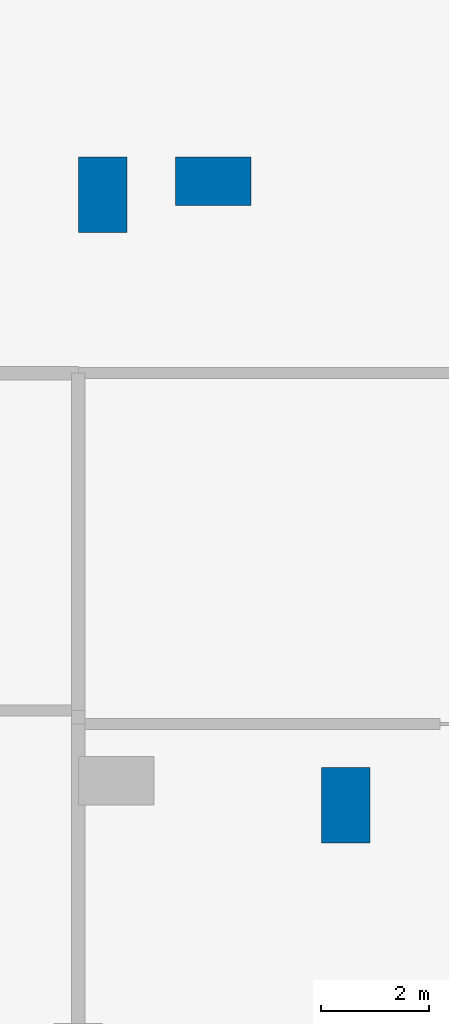
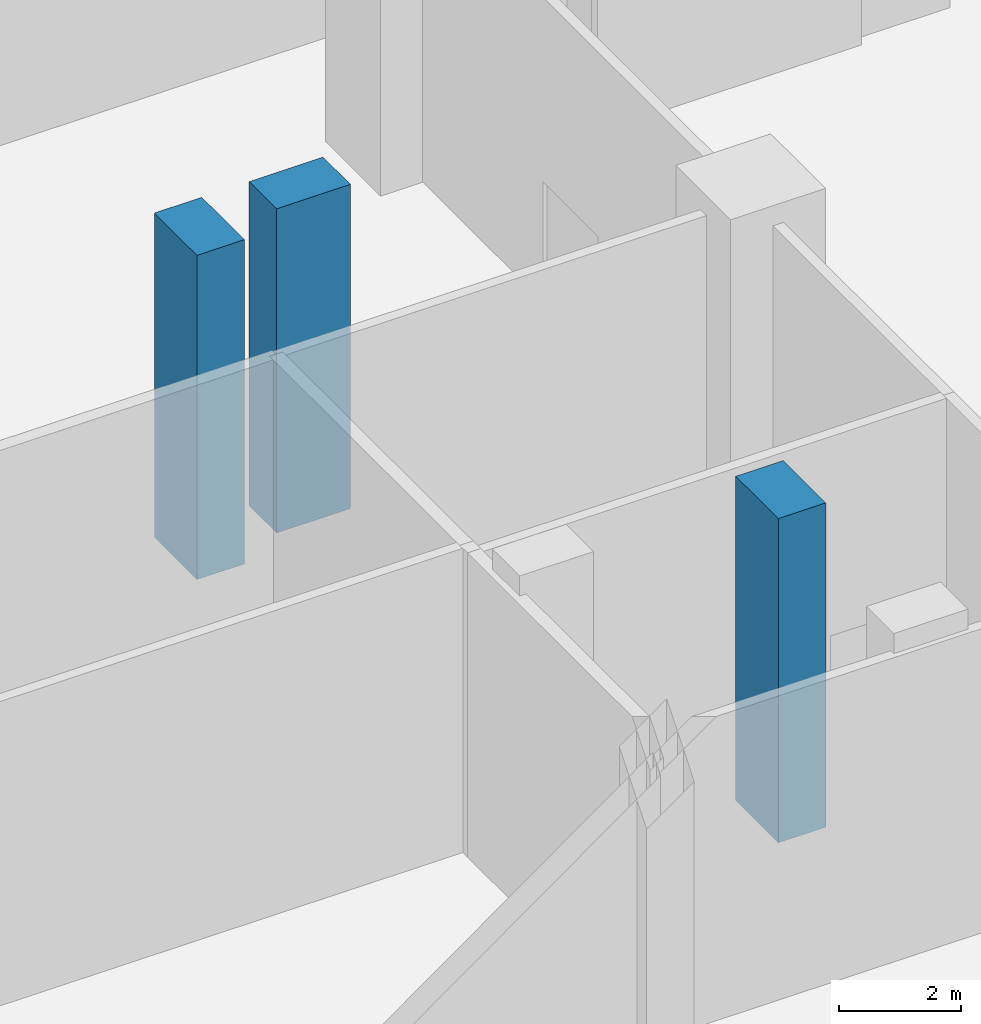
# One storey, part 3 of 39: 3 columns.
"""IFC4 building model written with IfcOpenShell, lengths in metres."""

import ifcopenshell
import ifcopenshell.guid

model = None  # the IFC model being written
_history = None  # IfcOwnerHistory: only IFC2X3 demands one
_inside = {}  # id of a spatial element -> (the spatial element, [elements in it])
_under = {}  # id of a project, library or spatial element -> (it, [spatial elements below it])
_declared = {}  # id of a project -> (the project, [libraries it declares])
_typed = {}  # id of a type object -> (the type object, [elements of that type])
_made_of = {}  # id of a material, layer set ... -> (it, [elements and type objects made of it])


def new_model(schema):
    """Start an empty IFC model of exactly this schema.

    Asked for "IFC4X3", IfcOpenShell would pick the latest addendum, in which some entities
    have other attributes; the version numbers below select the first issue.
    IFC2X3 requires an IfcOwnerHistory on every rooted entity: one is made here for all.
    """
    global model, _history
    if schema == "IFC4X3":
        model = ifcopenshell.file(schema_version=(4, 3, 0, 0))
    else:
        model = ifcopenshell.file(schema=schema)
    _inside.clear()
    _under.clear()
    _declared.clear()
    _typed.clear()
    _made_of.clear()
    _history = None
    if model.schema == "IFC2X3":
        org = make("IfcOrganization", Name="unknown")
        user = make(
            "IfcPersonAndOrganization",
            ThePerson=make("IfcPerson", FamilyName="unknown"),
            TheOrganization=org,
        )
        app = make(
            "IfcApplication",
            ApplicationDeveloper=org,
            Version="unknown",
            ApplicationFullName="unknown",
            ApplicationIdentifier="unknown",
        )
        _history = make(
            "IfcOwnerHistory",
            OwningUser=user,
            OwningApplication=app,
            ChangeAction="ADDED",
            CreationDate=0,
        )
    return model


def make(cls, **values):
    """One entity of the class cls with the attributes given. An attribute that is None is left unset."""
    return model.create_entity(
        cls, **{name: value for name, value in values.items() if value is not None}
    )


def rooted(cls, **values):
    """An entity with a GlobalId (a new one), such as an element, a storey or a relation."""
    return make(cls, GlobalId=ifcopenshell.guid.new(), OwnerHistory=_history, **values)


def si_unit(unit_type, name, prefix=None):
    """IfcSIUnit, for example si_unit("LENGTHUNIT", "METRE", prefix="MILLI")."""
    return make("IfcSIUnit", UnitType=unit_type, Prefix=prefix, Name=name)


def assignment(units):
    """IfcUnitAssignment: the units of a project."""
    return None if units is None else make("IfcUnitAssignment", Units=units)


def point(xyz):
    """IfcCartesianPoint."""
    return None if xyz is None else make("IfcCartesianPoint", Coordinates=xyz)


def direction(xyz):
    """IfcDirection."""
    return None if xyz is None else make("IfcDirection", DirectionRatios=xyz)


def frame(location, z_axis=None, x_axis=None):
    """IfcAxis2Placement3D, a coordinate frame: its origin and axes. An axis left out is left unset."""
    return make(
        "IfcAxis2Placement3D",
        Location=point(location),
        Axis=direction(z_axis),
        RefDirection=direction(x_axis),
    )


def frame_2d(location, x_axis=None):
    """IfcAxis2Placement2D, a coordinate frame in the plane: its origin and x axis."""
    return make(
        "IfcAxis2Placement2D", Location=point(location), RefDirection=direction(x_axis)
    )


def origin():
    """The frame at (0, 0, 0) with its axes left unset."""
    return frame((0.0, 0.0, 0.0))


def origin_2d():
    """The frame at (0, 0) in the plane with its x axis left unset."""
    return frame_2d((0.0, 0.0))


def place(relative_to, where):
    """IfcLocalPlacement: puts the frame where relative to a parent placement (None: the world)."""
    return make(
        "IfcLocalPlacement", PlacementRelTo=relative_to, RelativePlacement=where
    )


def context(
    kind, dimensions, precision=None, world=None, true_north=None, identifier=None
):
    """IfcGeometricRepresentationContext, for example the 3D "Model" context."""
    return make(
        "IfcGeometricRepresentationContext",
        ContextIdentifier=identifier,
        ContextType=kind,
        CoordinateSpaceDimension=dimensions,
        Precision=precision,
        WorldCoordinateSystem=world,
        TrueNorth=true_north,
    )


def subcontext(parent, identifier, kind, view, scale=None):
    """IfcGeometricRepresentationSubContext, for example "Body" below "Model"."""
    return make(
        "IfcGeometricRepresentationSubContext",
        ContextIdentifier=identifier,
        ContextType=kind,
        ParentContext=parent,
        TargetScale=scale,
        TargetView=view,
    )


def project(units=None, contexts=None):
    """IfcProject with its units and contexts."""
    return rooted(
        "IfcProject",
        Name="project",
        RepresentationContexts=contexts,
        UnitsInContext=assignment(units),
    )


def spatial(cls, under=None, at=None, **own):
    """A site, building, storey or space (cls), placed at a placement, below another one or the project."""
    s = rooted(cls, ObjectPlacement=at, **own)
    if under is not None:
        _under.setdefault(under.id(), (under, []))[1].append(s)
    return s


def profile(cls, at=None, kind="AREA", **sizes):
    """A parametric profile (cls). Its sizes go by their IFC names, for example OverallWidth=200.0."""
    return make(cls, ProfileType=kind, Position=at, **sizes)


def rectangle(**sizes):
    """IfcRectangleProfileDef."""
    return profile("IfcRectangleProfileDef", **sizes)


def extrude(swept, where, along, depth):
    """IfcExtrudedAreaSolid: the profile swept, set in the frame where, extruded along a direction by depth."""
    return make(
        "IfcExtrudedAreaSolid",
        SweptArea=swept,
        Position=where,
        ExtrudedDirection=direction(along),
        Depth=depth,
    )


def shape(context_of_items, identifier, shape_type, items):
    """IfcShapeRepresentation: the items that make up one representation, for example the "Body"."""
    return make(
        "IfcShapeRepresentation",
        ContextOfItems=context_of_items,
        RepresentationIdentifier=identifier,
        RepresentationType=shape_type,
        Items=items,
    )


def material(Name=None, Category=None):
    """IfcMaterial."""
    return make("IfcMaterial", Name=Name, Category=Category)


def material_profile(
    of_material, cross_section, Name=None, Category=None, Priority=None
):
    """IfcMaterialProfile: a cross section and its material."""
    return make(
        "IfcMaterialProfile",
        Name=Name,
        Material=of_material,
        Profile=cross_section,
        Priority=Priority,
        Category=Category,
    )


def profile_set(profiles, Name=None, composite=None):
    """IfcMaterialProfileSet."""
    return make(
        "IfcMaterialProfileSet",
        Name=Name,
        MaterialProfiles=profiles,
        CompositeProfile=composite,
    )


def made_of(thing, what):
    """Note that an element or type object is made of a material, layer set ...; save() writes the relation."""
    if what is not None:
        _made_of.setdefault(what.id(), (what, []))[1].append(thing)
    return thing


def type_object(cls, material=None, **own):
    """A type object (cls), such as IfcWallType, which elements share."""
    return made_of(rooted(cls, **own), material)


def element(
    cls,
    number,
    at=None,
    inside=None,
    cuts=None,
    type_object=None,
    material=None,
    context=None,
    identifier="Body",
    shape_type=None,
    held_by="IfcProductDefinitionShape",
    body=None,
    shapes=None,
    **own,
):
    """One element of the class cls, such as IfcWall. Its Tag is "e" and its number.

    at: its placement. inside: the storey or other place that contains it. cuts: it is an
    opening in that element (IfcRelVoidsElement). A single representation is given by context,
    identifier, shape_type and body (its items); several are given by shapes. held_by: the class
    of the entity that holds the representations. save() writes the other relations.
    """
    e = rooted(cls, Tag="e%d" % number, ObjectPlacement=at, **own)
    if body is not None:
        shapes = [shape(context, identifier, shape_type, body)]
    if shapes is not None:
        e.Representation = make(held_by, Representations=shapes)
    if inside is not None:
        _inside.setdefault(inside.id(), (inside, []))[1].append(e)
    if cuts is not None:
        rooted(
            "IfcRelVoidsElement", RelatingBuildingElement=cuts, RelatedOpeningElement=e
        )
    if type_object is not None:
        _typed.setdefault(type_object.id(), (type_object, []))[1].append(e)
    return made_of(e, material)


def aggregate(whole, parts):
    """IfcRelAggregates: a whole, such as a stair, and the parts it consists of."""
    return rooted("IfcRelAggregates", RelatingObject=whole, RelatedObjects=parts)


def save(model, path):
    """Write the relations noted so far, then the file.

    IfcRelAggregates (storeys below a building ...), IfcRelContainedInSpatialStructure (elements
    in a storey), IfcRelDefinesByType, IfcRelAssociatesMaterial and IfcRelDeclares: one each for
    every whole, place, type object, material and project.
    """
    for whole, parts in _under.values():
        aggregate(whole, parts)
    for where, things in _inside.values():
        rooted(
            "IfcRelContainedInSpatialStructure",
            RelatedElements=things,
            RelatingStructure=where,
        )
    for kind, things in _typed.values():
        rooted("IfcRelDefinesByType", RelatedObjects=things, RelatingType=kind)
    for what, things in _made_of.values():
        rooted("IfcRelAssociatesMaterial", RelatedObjects=things, RelatingMaterial=what)
    for by, libraries in _declared.values():
        rooted("IfcRelDeclares", RelatingContext=by, RelatedDefinitions=libraries)
    model.write(path)


model = new_model("IFC4")

# Units and contexts
model_context = context("Model", 3, precision=1e-05, world=origin(), true_north=direction((0.0, 1.0)))
body_context = subcontext(model_context, "Body", "Model", "MODEL_VIEW")
ifc_project = project(units=[si_unit("LENGTHUNIT", "METRE"), si_unit("AREAUNIT", "SQUARE_METRE"), si_unit("VOLUMEUNIT", "CUBIC_METRE"), si_unit("PLANEANGLEUNIT", "RADIAN"), si_unit("MASSUNIT", "GRAM", prefix="KILO")], contexts=[model_context])

# Site, building, storey
site_placement = place(None, origin())
site = spatial("IfcSite", under=ifc_project, at=site_placement, CompositionType="ELEMENT")
building_placement = place(site_placement, origin())
building = spatial("IfcBuilding", under=site, at=building_placement, Name="Brigalow Station Residences", CompositionType="ELEMENT")
storey_placement = place(building_placement, origin())
storey = spatial("IfcBuildingStorey", under=building, at=storey_placement, Name="L00", CompositionType="ELEMENT", Elevation=0.0)

# Columns
ifc_material = material(Name="Concrete C80", Category="concrete")
ifc_material_profile = material_profile(ifc_material, rectangle(XDim=1.39990234375, YDim=0.89990234375, at=origin_2d()), Name="RC1400x900")
ifc_profile_set = profile_set([ifc_material_profile], Name="Concrete C80")
column_type = type_object("IfcColumnType", Name="PIER 1400x900 C80", PredefinedType="USERDEFINED", material=ifc_profile_set)
for number, where, z_axis, x_axis, name in (
    (1, (2.5, 16.050048828125, 0.0), (0.0, 0.0, 1.0), (-1.0, 0.0, 0.0), "PIER WL3-1 L00"),
    (2, (0.449951171875, 15.800048828125, 0.0), (0.0, 0.0, 1.0), (0.0, -1.0, 0.0), "PIER W1-1 L00"),
    (3, (4.949951171875, 4.5, 0.0), (0.0, 0.0, 1.0), (0.0, -1.0, 0.0), "PIER SW2-1 L00"),
):
    element("IfcColumn", number, at=place(storey_placement, frame(where, z_axis=z_axis, x_axis=x_axis)), inside=storey, type_object=column_type, Name=name, ObjectType="PIER", PredefinedType="USERDEFINED", context=body_context, shape_type="SweptSolid", body=[
        extrude(rectangle(XDim=1.39990234375, YDim=0.89990234375, at=origin_2d()), origin(), (0.0, 0.0, 1.0), 6.5),
    ])

save(model, "model.ifc")
